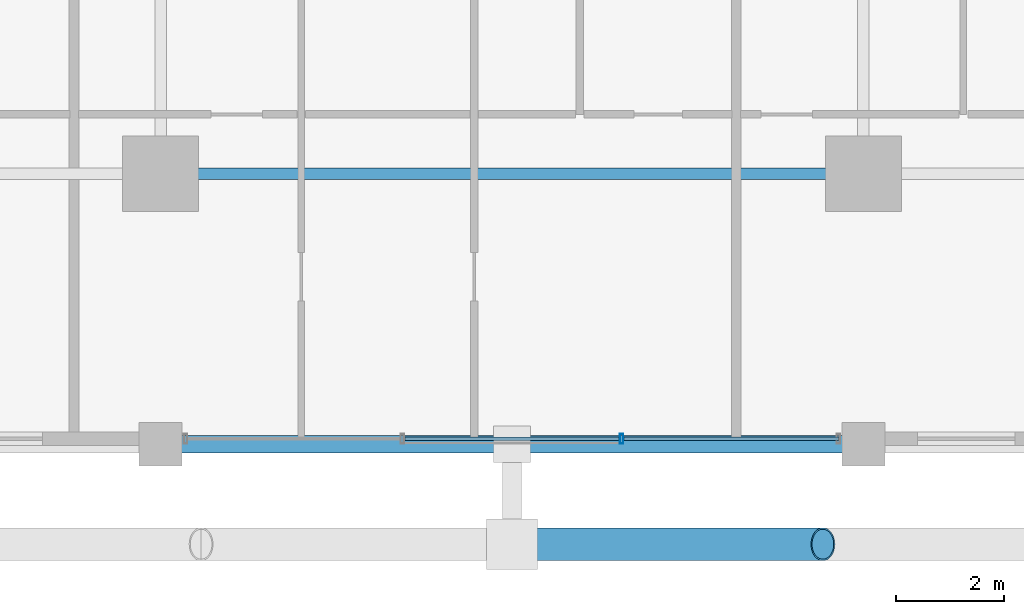
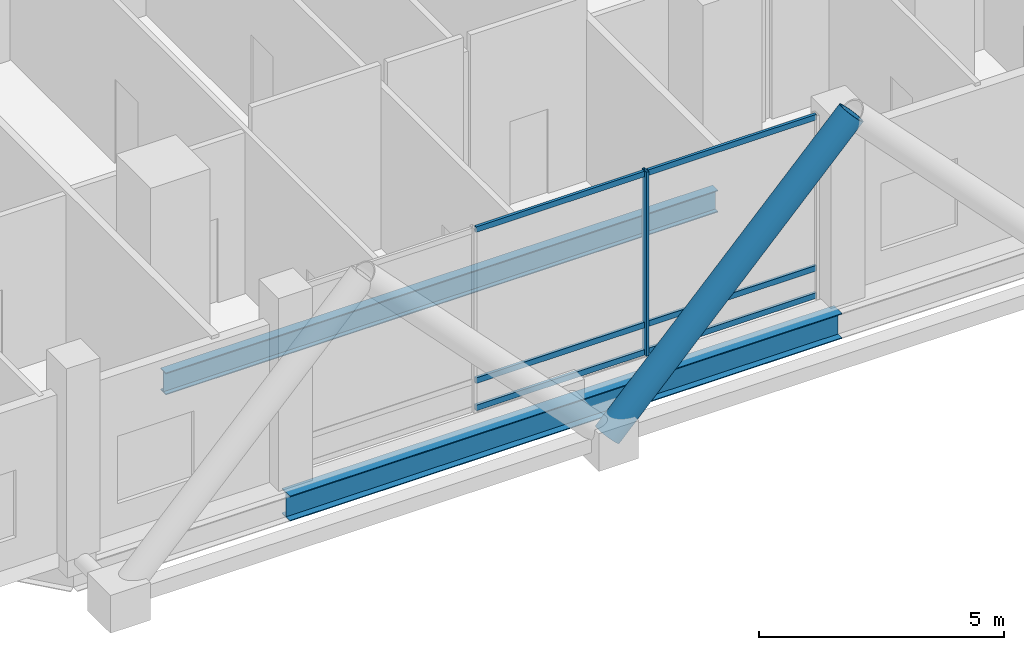
# One storey, part 3 of 33: 8 members, 2 beams, 1 element without a shape of its own.
"""IFC4 building model written with IfcOpenShell, lengths in metres."""

from ifc_helpers import new_model, si_unit, direction, frame, origin, origin_2d, place, context, subcontext, project, spatial, hollow_rectangle, hollow_circle, i_section, extrude, material, layer, layer_set, material_profile, profile_set, type_object, element, aggregate, save


model = new_model("IFC4")

# Units and contexts
model_context = context("Model", 3, precision=1e-05, world=origin(), true_north=direction((0.0, 1.0)))
body_context = subcontext(model_context, "Body", "Model", "MODEL_VIEW")
ifc_project = project(units=[si_unit("LENGTHUNIT", "METRE"), si_unit("AREAUNIT", "SQUARE_METRE"), si_unit("VOLUMEUNIT", "CUBIC_METRE"), si_unit("PLANEANGLEUNIT", "RADIAN"), si_unit("MASSUNIT", "GRAM", prefix="KILO")], contexts=[model_context])

# Site, building, storey
site_placement = place(None, origin())
site = spatial("IfcSite", under=ifc_project, at=site_placement, CompositionType="ELEMENT")
building_placement = place(site_placement, origin())
building = spatial("IfcBuilding", under=site, at=building_placement, Name="Barlavira Tower and Art Museum", CompositionType="ELEMENT")
storey_placement = place(building_placement, frame((0.0, 0.0, 27.60009765625)))
storey = spatial("IfcBuildingStorey", under=building, at=storey_placement, Name="L05", CompositionType="ELEMENT", Elevation=27.60009765625)

# Curtain wall, members
ifc_material_1 = material(Name="Low-iron coastal laminated glass", Category="glass")
ifc_layer = layer(ifc_material_1, 0.179931640625, Name="Low-iron coastal laminated glass")
ifc_layer_set = layer_set([ifc_layer], Name="Low-iron coastal laminated glass")
curtain_wall_type = type_object("IfcCurtainWallType", Name="Pale-Metal Unitised Curtain Wall Zone 1", PredefinedType="NOTDEFINED", material=ifc_layer_set)
curtain_wall_placement = place(storey_placement, origin())
curtain_wall = element("IfcCurtainWall", 1, at=curtain_wall_placement, inside=storey, type_object=curtain_wall_type, Name="L05 Curtain Wall CW1-L05-S-B3", PredefinedType="NOTDEFINED")
ifc_material_2 = material(Name="Pale anodised aluminium", Category="aluminium")
ifc_material_profile_1 = material_profile(ifc_material_2, hollow_rectangle(XDim=0.06494140625, YDim=0.179931640625, WallThickness=0.00390625, at=origin_2d()), Name="ALU-MULL 65x180x4")
ifc_profile_set_1 = profile_set([ifc_material_profile_1], Name="Pale anodised aluminium")
member_type_1 = type_object("IfcMemberType", Name="Curtain Wall Pale-Metal Mullion 65x180", PredefinedType="MULLION", material=ifc_profile_set_1)
member_1_placement = place(storey_placement, frame((2.026611328125, -24.89990234375, 0.0), z_axis=(0.0, 0.0, 1.0), x_axis=(1.0, 0.0, 0.0)))
member_1 = element("IfcMember", 2, at=member_1_placement, type_object=member_type_1, Name="CW1-L05-S-B3 Mullion 2", PredefinedType="MULLION", context=body_context, shape_type="SweptSolid", body=[
    extrude(hollow_rectangle(XDim=0.06494140625, YDim=0.179931640625, WallThickness=0.00390625, at=origin_2d()), origin(), (0.0, 0.0, 1.0), 4.579833984375),
])
ifc_material_profile_2 = material_profile(ifc_material_2, hollow_rectangle(XDim=0.06494140625, YDim=0.139892578125, WallThickness=0.00390625, at=origin_2d()), Name="ALU-TRAN 65x140x4")
ifc_profile_set_2 = profile_set([ifc_material_profile_2], Name="Pale anodised aluminium")
member_type_2 = type_object("IfcMemberType", Name="Curtain Wall Pale-Metal Transom 65x140", PredefinedType="USERDEFINED", material=ifc_profile_set_2)
member_2_placement = place(storey_placement, frame((-1.981689453125, -24.89990234375, 0.06982421875), z_axis=(1.0, 0.0, 0.0), x_axis=(0.0, 1.0, 0.0)))
member_2 = element("IfcMember", 3, at=member_2_placement, type_object=member_type_2, Name="CW1-L05-S-B3 Transom 1.1", ObjectType="TRANSOM", PredefinedType="USERDEFINED", context=body_context, shape_type="SweptSolid", body=[
    extrude(hollow_rectangle(XDim=0.06494140625, YDim=0.139892578125, WallThickness=0.00390625, at=origin_2d()), origin(), (0.0, 0.0, 1.0), 3.96337890625),
])
member_3_placement = place(storey_placement, frame((-1.981689453125, -24.89990234375, 0.75), z_axis=(1.0, 0.0, 0.0), x_axis=(0.0, 1.0, 0.0)))
member_3 = element("IfcMember", 4, at=member_3_placement, type_object=member_type_2, Name="CW1-L05-S-B3 Transom 1.2", ObjectType="TRANSOM", PredefinedType="USERDEFINED", context=body_context, shape_type="SweptSolid", body=[
    extrude(hollow_rectangle(XDim=0.06494140625, YDim=0.139892578125, WallThickness=0.00390625, at=origin_2d()), origin(), (0.0, 0.0, 1.0), 3.96337890625),
])
member_4_placement = place(storey_placement, frame((-1.981689453125, -24.89990234375, 4.510009765625), z_axis=(1.0, 0.0, 0.0), x_axis=(0.0, 1.0, 0.0)))
member_4 = element("IfcMember", 5, at=member_4_placement, type_object=member_type_2, Name="CW1-L05-S-B3 Transom 1.3", ObjectType="TRANSOM", PredefinedType="USERDEFINED", context=body_context, shape_type="SweptSolid", body=[
    extrude(hollow_rectangle(XDim=0.06494140625, YDim=0.139892578125, WallThickness=0.00390625, at=origin_2d()), origin(), (0.0, 0.0, 1.0), 3.96337890625),
])
member_5_placement = place(storey_placement, frame((2.07177734375, -24.89990234375, 0.06982421875), z_axis=(1.0, 0.0, 0.0), x_axis=(0.0, 1.0, 0.0)))
member_5 = element("IfcMember", 6, at=member_5_placement, type_object=member_type_2, Name="CW1-L05-S-B3 Transom 2.1", ObjectType="TRANSOM", PredefinedType="USERDEFINED", context=body_context, shape_type="SweptSolid", body=[
    extrude(hollow_rectangle(XDim=0.06494140625, YDim=0.139892578125, WallThickness=0.00390625, at=origin_2d()), origin(), (0.0, 0.0, 1.0), 3.963134765625),
])
member_6_placement = place(storey_placement, frame((2.07177734375, -24.89990234375, 0.75), z_axis=(1.0, 0.0, 0.0), x_axis=(0.0, 1.0, 0.0)))
member_6 = element("IfcMember", 7, at=member_6_placement, type_object=member_type_2, Name="CW1-L05-S-B3 Transom 2.2", ObjectType="TRANSOM", PredefinedType="USERDEFINED", context=body_context, shape_type="SweptSolid", body=[
    extrude(hollow_rectangle(XDim=0.06494140625, YDim=0.139892578125, WallThickness=0.00390625, at=origin_2d()), origin(), (0.0, 0.0, 1.0), 3.963134765625),
])
member_7_placement = place(storey_placement, frame((2.07177734375, -24.89990234375, 4.510009765625), z_axis=(1.0, 0.0, 0.0), x_axis=(0.0, 1.0, 0.0)))
member_7 = element("IfcMember", 8, at=member_7_placement, type_object=member_type_2, Name="CW1-L05-S-B3 Transom 2.3", ObjectType="TRANSOM", PredefinedType="USERDEFINED", context=body_context, shape_type="SweptSolid", body=[
    extrude(hollow_rectangle(XDim=0.06494140625, YDim=0.139892578125, WallThickness=0.00390625, at=origin_2d()), origin(), (0.0, 0.0, 1.0), 3.963134765625),
])
aggregate(curtain_wall, [member_1, member_2, member_3, member_4, member_5, member_6, member_7])

# Member
ifc_material_3 = material(Name="Steel S355", Category="steel")
ifc_material_profile_3 = material_profile(ifc_material_3, hollow_circle(Radius=0.304931640625, WallThickness=0.028076171875, at=origin_2d()), Name="CHS 610.0x28.0")
ifc_profile_set_3 = profile_set([ifc_material_profile_3], Name="Steel S355")
member_type_3 = type_object("IfcMemberType", Name="Pale-Metal Exoskeleton Diagrid Tube CHS 610x28 Steel S355", PredefinedType="BRACE", material=ifc_profile_set_3)
member_8_placement = place(storey_placement, frame((0.0, -26.85009765625, -0.1201171875), z_axis=(0.691905363236, 0.0, 0.721988205115), x_axis=(0.0, 1.0, 0.0)))
element("IfcMember", 9, at=member_8_placement, inside=storey, type_object=member_type_3, Name="L05 Exoskeleton Diagrid Tube S", PredefinedType="BRACE", context=body_context, shape_type="SweptSolid", body=[
    extrude(hollow_circle(Radius=0.304931640625, WallThickness=0.028076171875, at=origin_2d()), origin(), (0.0, 0.0, 1.0), 8.310302734375),
])

# Beams
ifc_material_profile_4 = material_profile(ifc_material_3, i_section(OverallWidth=0.327880859375, OverallDepth=0.62890625, WebThickness=0.013916015625, FlangeThickness=0.021484375, at=origin_2d()), Name="W610x174.0")
ifc_profile_set_4 = profile_set([ifc_material_profile_4], Name="Steel S355")
beam_type_1 = type_object("IfcBeamType", Name="Perimeter Spandrel Edge Beam W610x174 Steel S355", PredefinedType="SPANDREL", material=ifc_profile_set_4)
beam_1_placement = place(storey_placement, frame((-6.5, -25.0, -0.714599609375), z_axis=(1.0, 0.0, 0.0), x_axis=(0.0, 1.0, 0.0)))
element("IfcBeam", 10, at=beam_1_placement, inside=storey, type_object=beam_type_1, Name="L05 Spandrel 2", PredefinedType="SPANDREL", context=body_context, shape_type="SweptSolid", body=[
    extrude(i_section(OverallWidth=0.327880859375, OverallDepth=0.62890625, WebThickness=0.013916015625, FlangeThickness=0.021484375, at=origin_2d()), origin(), (0.0, 0.0, 1.0), 13.0),
])
ifc_material_profile_5 = material_profile(ifc_material_3, i_section(OverallWidth=0.214111328125, OverallDepth=0.549072265625, WebThickness=0.0146484375, FlangeThickness=0.023681640625, at=origin_2d()), Name="W530x138.0")
ifc_profile_set_5 = profile_set([ifc_material_profile_5], Name="Steel S355")
beam_type_2 = type_object("IfcBeamType", Name="Zone 1 Primary Floor Girder W530x138 Steel S355", PredefinedType="BEAM", material=ifc_profile_set_5)
beam_2_placement = place(storey_placement, frame((-6.5, -20.0, -0.674560546875), z_axis=(1.0, 0.0, 0.0), x_axis=(0.0, 1.0, 0.0)))
element("IfcBeam", 11, at=beam_2_placement, inside=storey, type_object=beam_type_2, Name="L05 Girder M-S2", PredefinedType="BEAM", context=body_context, shape_type="SweptSolid", body=[
    extrude(i_section(OverallWidth=0.214111328125, OverallDepth=0.549072265625, WebThickness=0.0146484375, FlangeThickness=0.023681640625, at=origin_2d()), origin(), (0.0, 0.0, 1.0), 13.0),
])

save(model, "model.ifc")
